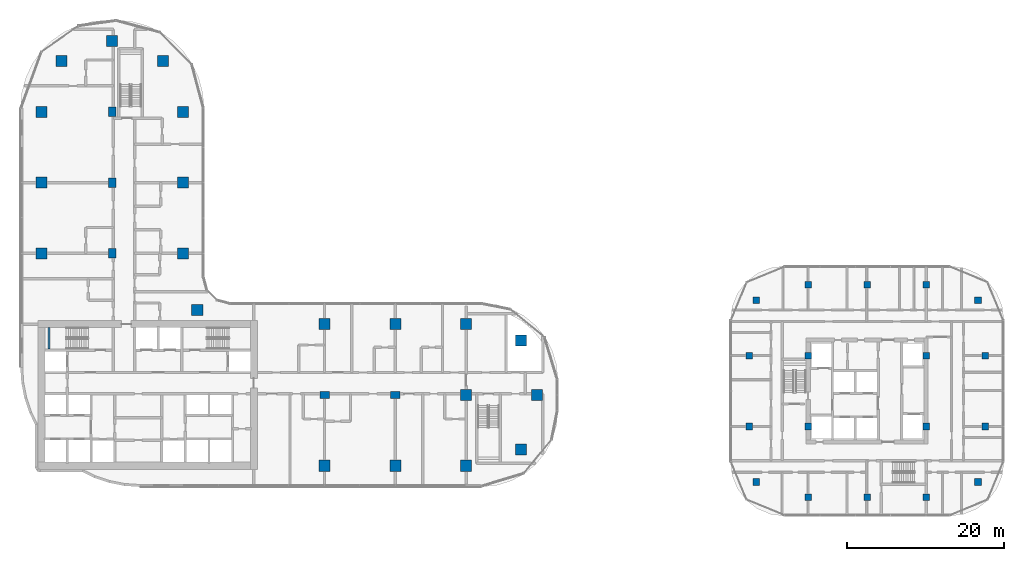
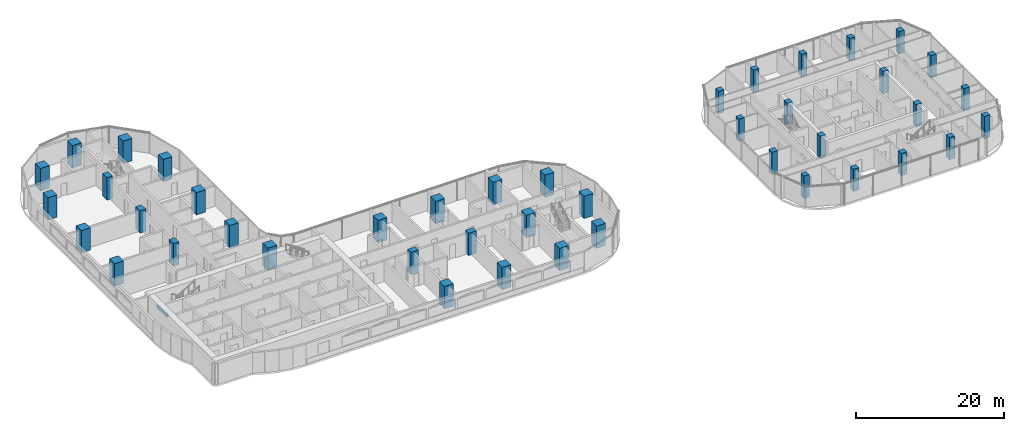
# One storey, part 1 of 34: 43 columns, 1 beam.
"""IFC4 building model written with IfcOpenShell, lengths in metres."""

from ifc_helpers import new_model, si_unit, direction, frame, origin, origin_2d, place, context, subcontext, project, spatial, rectangle, extrude, material, material_profile, profile_set, type_object, element, save


model = new_model("IFC4")

# Units and contexts
model_context = context("Model", 3, precision=1e-05, world=origin(), true_north=direction((0.0, 1.0)))
body_context = subcontext(model_context, "Body", "Model", "MODEL_VIEW")
ifc_project = project(units=[si_unit("LENGTHUNIT", "METRE"), si_unit("AREAUNIT", "SQUARE_METRE"), si_unit("VOLUMEUNIT", "CUBIC_METRE"), si_unit("PLANEANGLEUNIT", "RADIAN"), si_unit("MASSUNIT", "GRAM", prefix="KILO")], contexts=[model_context])

# Site, building, storey
site_placement = place(None, origin())
site = spatial("IfcSite", under=ifc_project, at=site_placement, CompositionType="ELEMENT")
building_placement = place(site_placement, origin())
building = spatial("IfcBuilding", under=site, at=building_placement, Name="Ogive Portal Towers", CompositionType="ELEMENT")
storey_placement = place(building_placement, frame((0.0, 0.0, 66.800048828125)))
storey = spatial("IfcBuildingStorey", under=building, at=storey_placement, Name="L15", CompositionType="ELEMENT", Elevation=66.800048828125)

# Columns
ifc_material_1 = material(Name="Concrete C60/75", Category="concrete")
ifc_material_profile_1 = material_profile(ifc_material_1, rectangle(XDim=1.199951171875, YDim=0.89990234375, at=origin_2d()), Name="RC 1200x900")
ifc_profile_set_1 = profile_set([ifc_material_profile_1], Name="Concrete C60/75")
column_type_1 = type_object("IfcColumnType", Name="COLUMN RC 1200x900", PredefinedType="COLUMN", material=ifc_profile_set_1)
for number, where, z_axis, x_axis, name in (
    (1, (67.5, 30.5, 0.0), (0.0, 0.0, 1.0), (1.0, 0.0, 0.0), "Column 5/B L15"),
    (2, (76.5, 30.5, 0.0), (0.0, 0.0, 1.0), (1.0, 0.0, 0.0), "Column 6/B L15"),
    (3, (40.5, 48.5, 0.0), (0.0, 0.0, 1.0), (0.0, 1.0, 0.0), "Column 2/D L15"),
    (4, (40.5, 57.5, 0.0), (0.0, 0.0, 1.0), (0.0, 1.0, 0.0), "Column 2/E L15"),
    (5, (40.5, 66.5, 0.0), (0.0, 0.0, 1.0), (0.0, 1.0, 0.0), "Column 2/F L15"),
):
    element("IfcColumn", number, at=place(storey_placement, frame(where, z_axis=z_axis, x_axis=x_axis)), inside=storey, type_object=column_type_1, Name=name, PredefinedType="COLUMN", context=body_context, shape_type="SweptSolid", body=[
        extrude(rectangle(XDim=1.199951171875, YDim=0.89990234375, at=origin_2d()), origin(), (0.0, 0.0, 1.0), 3.699951171875),
    ])
ifc_material_profile_2 = material_profile(ifc_material_1, rectangle(XDim=1.39990234375, YDim=1.39990234375, at=origin_2d()), Name="RC 1400x1400")
ifc_profile_set_2 = profile_set([ifc_material_profile_2], Name="Concrete C60/75")
column_type_2 = type_object("IfcColumnType", Name="COLUMN RC 1400x1400", PredefinedType="COLUMN", material=ifc_profile_set_2)
for number, where, z_axis, x_axis, name in (
    (6, (67.5, 21.5, 0.0), (0.0, 0.0, 1.0), (1.0, 0.0, 0.0), "Column 5/A L15"),
    (7, (76.5, 21.5, 0.0), (0.0, 0.0, 1.0), (1.0, 0.0, 0.0), "Column 6/A L15"),
    (8, (85.5, 21.5, 0.0), (0.0, 0.0, 1.0), (1.0, 0.0, 0.0), "Column 7/A L15"),
    (9, (92.449951171875, 23.550048828125, 0.0), (0.0, 0.0, 1.0), (1.0, 0.0, 0.0), "Column L15"),
    (10, (85.5, 30.5, 0.0), (0.0, 0.0, 1.0), (1.0, 0.0, 0.0), "Column 7/B L15"),
    (11, (94.5, 30.5, 0.0), (0.0, 0.0, 1.0), (1.0, 0.0, 0.0), "Column 8/B L15"),
    (12, (92.449951171875, 37.449951171875, 0.0), (0.0, 0.0, 1.0), (1.0, 0.0, 0.0), "Column L15"),
    (13, (67.5, 39.5, 0.0), (0.0, 0.0, 1.0), (1.0, 0.0, 0.0), "Column 5/C L15"),
    (14, (76.5, 39.5, 0.0), (0.0, 0.0, 1.0), (1.0, 0.0, 0.0), "Column 6/C L15"),
    (15, (85.5, 39.5, 0.0), (0.0, 0.0, 1.0), (1.0, 0.0, 0.0), "Column 7/C L15"),
    (16, (51.31005859375, 41.31005859375, 0.0), (0.0, 0.0, 1.0), (1.0, 0.0, 0.0), "Column L15"),
    (17, (31.5, 48.5, 0.0), (0.0, 0.0, 1.0), (1.0, 0.0, 0.0), "Column 1/D L15"),
    (18, (49.5, 48.5, 0.0), (0.0, 0.0, 1.0), (1.0, 0.0, 0.0), "Column 3/D L15"),
    (19, (31.5, 57.5, 0.0), (0.0, 0.0, 1.0), (1.0, 0.0, 0.0), "Column 1/E L15"),
    (20, (49.5, 57.5, 0.0), (0.0, 0.0, 1.0), (1.0, 0.0, 0.0), "Column 3/E L15"),
    (21, (31.5, 66.5, 0.0), (0.0, 0.0, 1.0), (1.0, 0.0, 0.0), "Column 1/F L15"),
    (22, (49.5, 66.5, 0.0), (0.0, 0.0, 1.0), (1.0, 0.0, 0.0), "Column 3/F L15"),
    (23, (34.027099609375, 72.972900390625, 0.0), (0.0, 0.0, 1.0), (1.0, 0.0, 0.0), "Column L15"),
    (24, (46.972900390625, 72.972900390625, 0.0), (0.0, 0.0, 1.0), (1.0, 0.0, 0.0), "Column L15"),
    (25, (40.5, 75.5, 0.0), (0.0, 0.0, 1.0), (1.0, 0.0, 0.0), "Column 2/G L15"),
):
    element("IfcColumn", number, at=place(storey_placement, frame(where, z_axis=z_axis, x_axis=x_axis)), inside=storey, type_object=column_type_2, Name=name, PredefinedType="COLUMN", context=body_context, shape_type="SweptSolid", body=[
        extrude(rectangle(XDim=1.39990234375, YDim=1.39990234375, at=origin_2d()), origin(), (0.0, 0.0, 1.0), 3.699951171875),
    ])
ifc_material_2 = material(Name="Concrete C50/60", Category="concrete")
ifc_material_profile_3 = material_profile(ifc_material_2, rectangle(XDim=0.85009765625, YDim=0.85009765625, at=origin_2d()), Name="RC 850x850")
ifc_profile_set_3 = profile_set([ifc_material_profile_3], Name="Concrete C50/60")
column_type_3 = type_object("IfcColumnType", Name="COLUMN RC 850x850", PredefinedType="COLUMN", material=ifc_profile_set_3)
for number, where, z_axis, x_axis, name in (
    (26, (129.0, 17.5, 0.0), (0.0, 0.0, 1.0), (1.0, 0.0, 0.0), "Column 12/H L15"),
    (27, (136.5, 17.5, 0.0), (0.0, 0.0, 1.0), (1.0, 0.0, 0.0), "Column 13/H L15"),
    (28, (144.0, 17.5, 0.0), (0.0, 0.0, 1.0), (1.0, 0.0, 0.0), "Column 14/H L15"),
    (29, (122.40087890625, 19.44189453125, 0.0), (0.0, 0.0, 1.0), (1.0, 0.0, 0.0), "Column L15"),
    (30, (150.59912109375, 19.44189453125, 0.0), (0.0, 0.0, 1.0), (1.0, 0.0, 0.0), "Column L15"),
    (31, (121.5, 26.5, 0.0), (0.0, 0.0, 1.0), (1.0, 0.0, 0.0), "Column 11/J L15"),
    (32, (129.0, 26.5, 0.0), (0.0, 0.0, 1.0), (1.0, 0.0, 0.0), "Column 12/J L15"),
    (33, (144.0, 26.5, 0.0), (0.0, 0.0, 1.0), (1.0, 0.0, 0.0), "Column 14/J L15"),
    (34, (151.5, 26.5, 0.0), (0.0, 0.0, 1.0), (1.0, 0.0, 0.0), "Column 15/J L15"),
    (35, (121.5, 35.5, 0.0), (0.0, 0.0, 1.0), (1.0, 0.0, 0.0), "Column 11/K L15"),
    (36, (129.0, 35.5, 0.0), (0.0, 0.0, 1.0), (1.0, 0.0, 0.0), "Column 12/K L15"),
    (37, (144.0, 35.5, 0.0), (0.0, 0.0, 1.0), (1.0, 0.0, 0.0), "Column 14/K L15"),
    (38, (151.5, 35.5, 0.0), (0.0, 0.0, 1.0), (1.0, 0.0, 0.0), "Column 15/K L15"),
    (39, (122.40087890625, 42.55810546875, 0.0), (0.0, 0.0, 1.0), (1.0, 0.0, 0.0), "Column L15"),
    (40, (150.59912109375, 42.55810546875, 0.0), (0.0, 0.0, 1.0), (1.0, 0.0, 0.0), "Column L15"),
    (41, (129.0, 44.5, 0.0), (0.0, 0.0, 1.0), (1.0, 0.0, 0.0), "Column 12/L L15"),
    (42, (136.5, 44.5, 0.0), (0.0, 0.0, 1.0), (1.0, 0.0, 0.0), "Column 13/L L15"),
    (43, (144.0, 44.5, 0.0), (0.0, 0.0, 1.0), (1.0, 0.0, 0.0), "Column 14/L L15"),
):
    element("IfcColumn", number, at=place(storey_placement, frame(where, z_axis=z_axis, x_axis=x_axis)), inside=storey, type_object=column_type_3, Name=name, PredefinedType="COLUMN", context=body_context, shape_type="SweptSolid", body=[
        extrude(rectangle(XDim=0.85009765625, YDim=0.85009765625, at=origin_2d()), origin(), (0.0, 0.0, 1.0), 3.699951171875),
    ])

# Beam
ifc_material_3 = material(Name="Concrete C40/50", Category="concrete")
ifc_material_profile_4 = material_profile(ifc_material_3, rectangle(XDim=0.300048828125, YDim=0.39990234375, at=origin_2d()), Name="RC 300x400")
ifc_profile_set_4 = profile_set([ifc_material_profile_4], Name="Concrete C40/50")
beam_type = type_object("IfcBeamType", Name="BEAM RC 300x400", PredefinedType="BEAM", material=ifc_profile_set_4)
beam_placement = place(storey_placement, frame((32.449951171875, 36.35009765625, 1.449951171875), z_axis=(0.0, 1.0, 0.0), x_axis=(-1.0, 0.0, 0.0)))
element("IfcBeam", 44, at=beam_placement, inside=storey, type_object=beam_type, Name="Landing beam L15", PredefinedType="BEAM", context=body_context, shape_type="SweptSolid", body=[
    extrude(rectangle(XDim=0.300048828125, YDim=0.39990234375, at=origin_2d()), origin(), (0.0, 0.0, 1.0), 2.699951171875),
])

save(model, "model.ifc")
